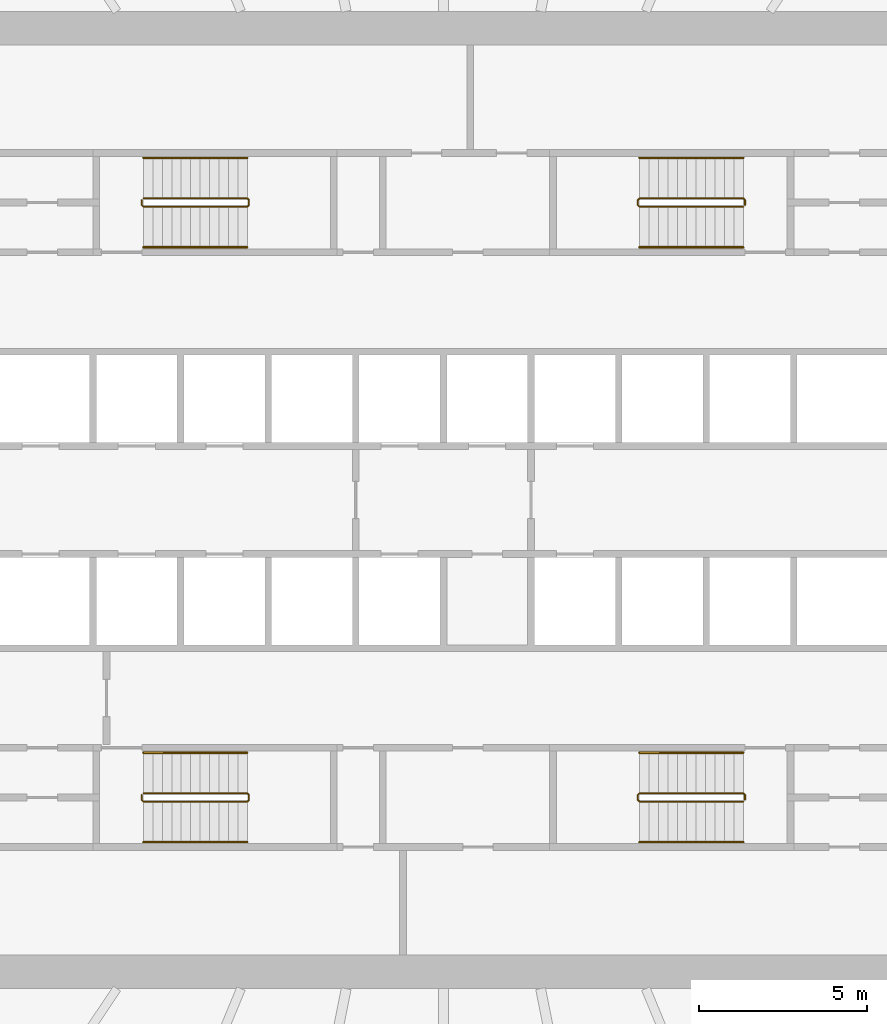
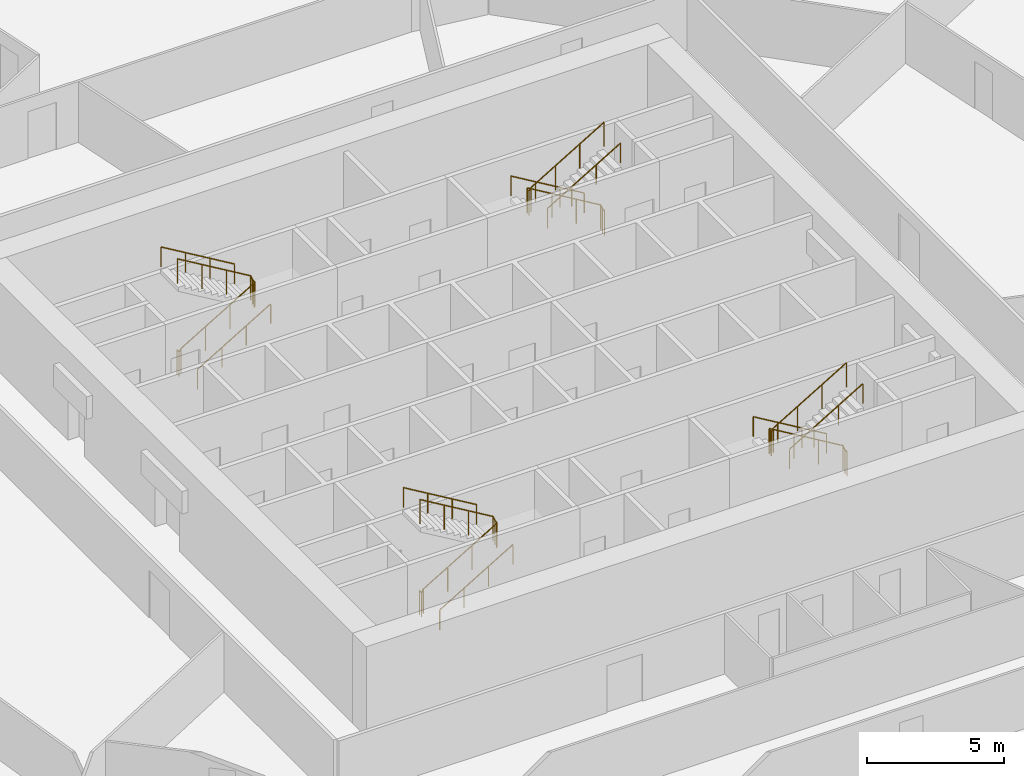
# One storey, part 8 of 8: 12 railings.
"""IFC4 building model written with IfcOpenShell, lengths in metres."""

from ifc_helpers import new_model, si_unit, direction, frame, origin, origin_2d, place, context, subcontext, project, spatial, circle, extrude, material, type_object, element, save


model = new_model("IFC4")

# Units and contexts
model_context = context("Model", 3, precision=1e-05, world=origin(), true_north=direction((0.0, 1.0)))
body_context = subcontext(model_context, "Body", "Model", "MODEL_VIEW")
ifc_project = project(units=[si_unit("LENGTHUNIT", "METRE"), si_unit("AREAUNIT", "SQUARE_METRE"), si_unit("VOLUMEUNIT", "CUBIC_METRE"), si_unit("PLANEANGLEUNIT", "RADIAN"), si_unit("MASSUNIT", "GRAM", prefix="KILO")], contexts=[model_context])

# Site, building, storey
site_placement = place(None, origin())
site = spatial("IfcSite", under=ifc_project, at=site_placement, CompositionType="ELEMENT")
building_placement = place(site_placement, origin())
building = spatial("IfcBuilding", under=site, at=building_placement, Name="Corvane Civic Tower", CompositionType="ELEMENT")
storey_placement = place(building_placement, frame((0.0, 0.0, 114.5)))
storey = spatial("IfcBuildingStorey", under=building, at=storey_placement, Name="L26", CompositionType="ELEMENT", Elevation=114.5)

# Railings
ifc_material_1 = material(Name="Steel ASTM A572 Gr 50", Category="steel")
railing_type_1 = type_object("IfcRailingType", Name="ST-GUARD-1100", PredefinedType="GUARDRAIL", material=ifc_material_1)
railing_1_placement = place(storey_placement, frame((8.949951171875, 8.75, 0.0)))
element("IfcRailing", 1, at=railing_1_placement, inside=storey, type_object=railing_type_1, Name="L26 ST1 stair guard 1", PredefinedType="GUARDRAIL", context=body_context, shape_type="SweptSolid", body=[
    extrude(circle(Radius=0.02392578125, at=origin_2d()), frame((0.0, 0.0, 1.076171875), z_axis=(0.0, 1.0, 0.0), x_axis=(-1.0, 0.0, 0.0)), (0.0, 0.0, 1.0), 0.14990234375),
    extrude(circle(Radius=0.02392578125, at=origin_2d()), frame((0.0, 0.14990234375, 1.076171875), z_axis=(-0.27628659633, 0.27628659633, 0.920506074601), x_axis=(-0.707106781187, -0.707106781187, 0.0)), (0.0, 0.0, 1.0), 0.18115234375),
    extrude(circle(Radius=0.02392578125, at=origin_2d()), frame((-0.050048828125, 0.199951171875, 1.24267578125), z_axis=(-0.859290745958, 0.0, 0.51148745235), x_axis=(0.0, -1.0, 0.0)), (0.0, 0.0, 1.0), 3.584228515625),
    extrude(circle(Radius=0.02392578125, at=origin_2d()), frame((-3.1298828125, 0.199951171875, 3.076171875), z_axis=(-0.707106781187, -0.707106781187, 0.0), x_axis=(0.707106781187, -0.707106781187, 0.0)), (0.0, 0.0, 1.0), 0.07080078125),
    extrude(circle(Radius=0.02392578125, at=origin_2d()), frame((-3.179931640625, 0.14990234375, 3.076171875), z_axis=(0.0, -1.0, 0.0), x_axis=(1.0, 0.0, 0.0)), (0.0, 0.0, 1.0), 0.14990234375),
    extrude(circle(Radius=0.02392578125, at=origin_2d()), frame((-3.179931640625, 0.0, 3.076171875), z_axis=(0.27628659633, -0.27628659633, 0.920506074601), x_axis=(0.707106781187, 0.707106781187, 0.0)), (0.0, 0.0, 1.0), 0.18115234375),
    extrude(circle(Radius=0.02392578125, at=origin_2d()), frame((-3.1298828125, -0.050048828125, 3.24267578125), z_axis=(0.859290745958, 0.0, 0.51148745235), x_axis=(0.0, 1.0, 0.0)), (0.0, 0.0, 1.0), 3.584228515625),
    extrude(circle(Radius=0.02099609375, at=origin_2d()), origin(), (0.0, 0.0, 1.0), 1.052001953125),
    extrude(circle(Radius=0.02099609375, at=origin_2d()), frame((0.0, 0.14990234375, 0.0)), (0.0, 0.0, 1.0), 1.052001953125),
    extrude(circle(Radius=0.02099609375, at=origin_2d()), frame((-0.050048828125, 0.199951171875, 0.166748046875)), (0.0, 0.0, 1.0), 1.052001953125),
    extrude(circle(Radius=0.02099609375, at=origin_2d()), frame((-1.07666015625, 0.199951171875, 0.77783203125)), (0.0, 0.0, 1.0), 1.052001953125),
    extrude(circle(Radius=0.02099609375, at=origin_2d()), frame((-2.103271484375, 0.199951171875, 1.388916015625)), (0.0, 0.0, 1.0), 1.052001953125),
    extrude(circle(Radius=0.02099609375, at=origin_2d()), frame((-3.1298828125, 0.199951171875, 2.0)), (0.0, 0.0, 1.0), 1.052001953125),
    extrude(circle(Radius=0.02099609375, at=origin_2d()), frame((-3.179931640625, 0.14990234375, 2.0)), (0.0, 0.0, 1.0), 1.052001953125),
    extrude(circle(Radius=0.02099609375, at=origin_2d()), frame((-3.179931640625, 0.0, 2.0)), (0.0, 0.0, 1.0), 1.052001953125),
    extrude(circle(Radius=0.02099609375, at=origin_2d()), frame((-3.1298828125, -0.050048828125, 2.166748046875)), (0.0, 0.0, 1.0), 1.052001953125),
    extrude(circle(Radius=0.02099609375, at=origin_2d()), frame((-2.103271484375, -0.050048828125, 2.77783203125)), (0.0, 0.0, 1.0), 1.052001953125),
    extrude(circle(Radius=0.02099609375, at=origin_2d()), frame((-1.07666015625, -0.050048828125, 3.388916015625)), (0.0, 0.0, 1.0), 1.052001953125),
    extrude(circle(Radius=0.02099609375, at=origin_2d()), frame((-0.050048828125, -0.050048828125, 4.0)), (0.0, 0.0, 1.0), 1.052001953125),
])
railing_2_placement = place(storey_placement, frame((8.949951171875, -8.89990234375, 0.0)))
element("IfcRailing", 2, at=railing_2_placement, inside=storey, type_object=railing_type_1, Name="L26 ST2 stair guard 1", PredefinedType="GUARDRAIL", context=body_context, shape_type="SweptSolid", body=[
    extrude(circle(Radius=0.02392578125, at=origin_2d()), frame((0.0, 0.0, 1.076171875), z_axis=(0.0, 1.0, 0.0), x_axis=(-1.0, 0.0, 0.0)), (0.0, 0.0, 1.0), 0.14990234375),
    extrude(circle(Radius=0.02392578125, at=origin_2d()), frame((0.0, 0.14990234375, 1.076171875), z_axis=(-0.27628659633, 0.27628659633, 0.920506074601), x_axis=(-0.707106781187, -0.707106781187, 0.0)), (0.0, 0.0, 1.0), 0.18115234375),
    extrude(circle(Radius=0.02392578125, at=origin_2d()), frame((-0.050048828125, 0.199951171875, 1.24267578125), z_axis=(-0.859290745958, 0.0, 0.51148745235), x_axis=(0.0, -1.0, 0.0)), (0.0, 0.0, 1.0), 3.584228515625),
    extrude(circle(Radius=0.02392578125, at=origin_2d()), frame((-3.1298828125, 0.199951171875, 3.076171875), z_axis=(-0.707106781187, -0.707106781187, 0.0), x_axis=(0.707106781187, -0.707106781187, 0.0)), (0.0, 0.0, 1.0), 0.07080078125),
    extrude(circle(Radius=0.02392578125, at=origin_2d()), frame((-3.179931640625, 0.14990234375, 3.076171875), z_axis=(0.0, -1.0, 0.0), x_axis=(1.0, 0.0, 0.0)), (0.0, 0.0, 1.0), 0.14990234375),
    extrude(circle(Radius=0.02392578125, at=origin_2d()), frame((-3.179931640625, 0.0, 3.076171875), z_axis=(0.27628659633, -0.27628659633, 0.920506074601), x_axis=(0.707106781187, 0.707106781187, 0.0)), (0.0, 0.0, 1.0), 0.18115234375),
    extrude(circle(Radius=0.02392578125, at=origin_2d()), frame((-3.1298828125, -0.050048828125, 3.24267578125), z_axis=(0.859290745958, 0.0, 0.51148745235), x_axis=(0.0, 1.0, 0.0)), (0.0, 0.0, 1.0), 3.584228515625),
    extrude(circle(Radius=0.02099609375, at=origin_2d()), origin(), (0.0, 0.0, 1.0), 1.052001953125),
    extrude(circle(Radius=0.02099609375, at=origin_2d()), frame((0.0, 0.14990234375, 0.0)), (0.0, 0.0, 1.0), 1.052001953125),
    extrude(circle(Radius=0.02099609375, at=origin_2d()), frame((-0.050048828125, 0.199951171875, 0.166748046875)), (0.0, 0.0, 1.0), 1.052001953125),
    extrude(circle(Radius=0.02099609375, at=origin_2d()), frame((-1.07666015625, 0.199951171875, 0.77783203125)), (0.0, 0.0, 1.0), 1.052001953125),
    extrude(circle(Radius=0.02099609375, at=origin_2d()), frame((-2.103271484375, 0.199951171875, 1.388916015625)), (0.0, 0.0, 1.0), 1.052001953125),
    extrude(circle(Radius=0.02099609375, at=origin_2d()), frame((-3.1298828125, 0.199951171875, 2.0)), (0.0, 0.0, 1.0), 1.052001953125),
    extrude(circle(Radius=0.02099609375, at=origin_2d()), frame((-3.179931640625, 0.14990234375, 2.0)), (0.0, 0.0, 1.0), 1.052001953125),
    extrude(circle(Radius=0.02099609375, at=origin_2d()), frame((-3.179931640625, 0.0, 2.0)), (0.0, 0.0, 1.0), 1.052001953125),
    extrude(circle(Radius=0.02099609375, at=origin_2d()), frame((-3.1298828125, -0.050048828125, 2.166748046875)), (0.0, 0.0, 1.0), 1.052001953125),
    extrude(circle(Radius=0.02099609375, at=origin_2d()), frame((-2.103271484375, -0.050048828125, 2.77783203125)), (0.0, 0.0, 1.0), 1.052001953125),
    extrude(circle(Radius=0.02099609375, at=origin_2d()), frame((-1.07666015625, -0.050048828125, 3.388916015625)), (0.0, 0.0, 1.0), 1.052001953125),
    extrude(circle(Radius=0.02099609375, at=origin_2d()), frame((-0.050048828125, -0.050048828125, 4.0)), (0.0, 0.0, 1.0), 1.052001953125),
])
railing_3_placement = place(storey_placement, frame((-8.949951171875, -8.75, 0.0)))
element("IfcRailing", 3, at=railing_3_placement, inside=storey, type_object=railing_type_1, Name="L26 ST3 stair guard 1", PredefinedType="GUARDRAIL", context=body_context, shape_type="SweptSolid", body=[
    extrude(circle(Radius=0.02392578125, at=origin_2d()), frame((0.0, 0.0, 1.076171875), z_axis=(0.0, -1.0, 0.0), x_axis=(1.0, 0.0, 0.0)), (0.0, 0.0, 1.0), 0.14990234375),
    extrude(circle(Radius=0.02392578125, at=origin_2d()), frame((0.0, -0.14990234375, 1.076171875), z_axis=(0.27628659633, -0.27628659633, 0.920506074601), x_axis=(0.707106781187, 0.707106781187, 0.0)), (0.0, 0.0, 1.0), 0.18115234375),
    extrude(circle(Radius=0.02392578125, at=origin_2d()), frame((0.050048828125, -0.199951171875, 1.24267578125), z_axis=(0.859290745958, 0.0, 0.51148745235), x_axis=(0.0, 1.0, 0.0)), (0.0, 0.0, 1.0), 3.584228515625),
    extrude(circle(Radius=0.02392578125, at=origin_2d()), frame((3.1298828125, -0.199951171875, 3.076171875), z_axis=(0.707106781187, 0.707106781187, 0.0), x_axis=(-0.707106781187, 0.707106781187, 0.0)), (0.0, 0.0, 1.0), 0.07080078125),
    extrude(circle(Radius=0.02392578125, at=origin_2d()), frame((3.179931640625, -0.14990234375, 3.076171875), z_axis=(0.0, 1.0, 0.0), x_axis=(-1.0, 0.0, 0.0)), (0.0, 0.0, 1.0), 0.14990234375),
    extrude(circle(Radius=0.02392578125, at=origin_2d()), frame((3.179931640625, 0.0, 3.076171875), z_axis=(-0.27628659633, 0.27628659633, 0.920506074601), x_axis=(-0.707106781187, -0.707106781187, 0.0)), (0.0, 0.0, 1.0), 0.18115234375),
    extrude(circle(Radius=0.02392578125, at=origin_2d()), frame((3.1298828125, 0.050048828125, 3.24267578125), z_axis=(-0.859290745958, 0.0, 0.51148745235), x_axis=(0.0, -1.0, 0.0)), (0.0, 0.0, 1.0), 3.584228515625),
    extrude(circle(Radius=0.02099609375, at=origin_2d()), origin(), (0.0, 0.0, 1.0), 1.052001953125),
    extrude(circle(Radius=0.02099609375, at=origin_2d()), frame((0.0, -0.14990234375, 0.0)), (0.0, 0.0, 1.0), 1.052001953125),
    extrude(circle(Radius=0.02099609375, at=origin_2d()), frame((0.050048828125, -0.199951171875, 0.166748046875)), (0.0, 0.0, 1.0), 1.052001953125),
    extrude(circle(Radius=0.02099609375, at=origin_2d()), frame((1.07666015625, -0.199951171875, 0.77783203125)), (0.0, 0.0, 1.0), 1.052001953125),
    extrude(circle(Radius=0.02099609375, at=origin_2d()), frame((2.103271484375, -0.199951171875, 1.388916015625)), (0.0, 0.0, 1.0), 1.052001953125),
    extrude(circle(Radius=0.02099609375, at=origin_2d()), frame((3.1298828125, -0.199951171875, 2.0)), (0.0, 0.0, 1.0), 1.052001953125),
    extrude(circle(Radius=0.02099609375, at=origin_2d()), frame((3.179931640625, -0.14990234375, 2.0)), (0.0, 0.0, 1.0), 1.052001953125),
    extrude(circle(Radius=0.02099609375, at=origin_2d()), frame((3.179931640625, 0.0, 2.0)), (0.0, 0.0, 1.0), 1.052001953125),
    extrude(circle(Radius=0.02099609375, at=origin_2d()), frame((3.1298828125, 0.050048828125, 2.166748046875)), (0.0, 0.0, 1.0), 1.052001953125),
    extrude(circle(Radius=0.02099609375, at=origin_2d()), frame((2.103271484375, 0.050048828125, 2.77783203125)), (0.0, 0.0, 1.0), 1.052001953125),
    extrude(circle(Radius=0.02099609375, at=origin_2d()), frame((1.07666015625, 0.050048828125, 3.388916015625)), (0.0, 0.0, 1.0), 1.052001953125),
    extrude(circle(Radius=0.02099609375, at=origin_2d()), frame((0.050048828125, 0.050048828125, 4.0)), (0.0, 0.0, 1.0), 1.052001953125),
])
railing_4_placement = place(storey_placement, frame((-8.949951171875, 8.89990234375, 0.0)))
element("IfcRailing", 4, at=railing_4_placement, inside=storey, type_object=railing_type_1, Name="L26 ST4 stair guard 1", PredefinedType="GUARDRAIL", context=body_context, shape_type="SweptSolid", body=[
    extrude(circle(Radius=0.02392578125, at=origin_2d()), frame((0.0, 0.0, 1.076171875), z_axis=(0.0, -1.0, 0.0), x_axis=(1.0, 0.0, 0.0)), (0.0, 0.0, 1.0), 0.14990234375),
    extrude(circle(Radius=0.02392578125, at=origin_2d()), frame((0.0, -0.14990234375, 1.076171875), z_axis=(0.27628659633, -0.27628659633, 0.920506074601), x_axis=(0.707106781187, 0.707106781187, 0.0)), (0.0, 0.0, 1.0), 0.18115234375),
    extrude(circle(Radius=0.02392578125, at=origin_2d()), frame((0.050048828125, -0.199951171875, 1.24267578125), z_axis=(0.859290745958, 0.0, 0.51148745235), x_axis=(0.0, 1.0, 0.0)), (0.0, 0.0, 1.0), 3.584228515625),
    extrude(circle(Radius=0.02392578125, at=origin_2d()), frame((3.1298828125, -0.199951171875, 3.076171875), z_axis=(0.707106781187, 0.707106781187, 0.0), x_axis=(-0.707106781187, 0.707106781187, 0.0)), (0.0, 0.0, 1.0), 0.07080078125),
    extrude(circle(Radius=0.02392578125, at=origin_2d()), frame((3.179931640625, -0.14990234375, 3.076171875), z_axis=(0.0, 1.0, 0.0), x_axis=(-1.0, 0.0, 0.0)), (0.0, 0.0, 1.0), 0.14990234375),
    extrude(circle(Radius=0.02392578125, at=origin_2d()), frame((3.179931640625, 0.0, 3.076171875), z_axis=(-0.27628659633, 0.27628659633, 0.920506074601), x_axis=(-0.707106781187, -0.707106781187, 0.0)), (0.0, 0.0, 1.0), 0.18115234375),
    extrude(circle(Radius=0.02392578125, at=origin_2d()), frame((3.1298828125, 0.050048828125, 3.24267578125), z_axis=(-0.859290745958, 0.0, 0.51148745235), x_axis=(0.0, -1.0, 0.0)), (0.0, 0.0, 1.0), 3.584228515625),
    extrude(circle(Radius=0.02099609375, at=origin_2d()), origin(), (0.0, 0.0, 1.0), 1.052001953125),
    extrude(circle(Radius=0.02099609375, at=origin_2d()), frame((0.0, -0.14990234375, 0.0)), (0.0, 0.0, 1.0), 1.052001953125),
    extrude(circle(Radius=0.02099609375, at=origin_2d()), frame((0.050048828125, -0.199951171875, 0.166748046875)), (0.0, 0.0, 1.0), 1.052001953125),
    extrude(circle(Radius=0.02099609375, at=origin_2d()), frame((1.07666015625, -0.199951171875, 0.77783203125)), (0.0, 0.0, 1.0), 1.052001953125),
    extrude(circle(Radius=0.02099609375, at=origin_2d()), frame((2.103271484375, -0.199951171875, 1.388916015625)), (0.0, 0.0, 1.0), 1.052001953125),
    extrude(circle(Radius=0.02099609375, at=origin_2d()), frame((3.1298828125, -0.199951171875, 2.0)), (0.0, 0.0, 1.0), 1.052001953125),
    extrude(circle(Radius=0.02099609375, at=origin_2d()), frame((3.179931640625, -0.14990234375, 2.0)), (0.0, 0.0, 1.0), 1.052001953125),
    extrude(circle(Radius=0.02099609375, at=origin_2d()), frame((3.179931640625, 0.0, 2.0)), (0.0, 0.0, 1.0), 1.052001953125),
    extrude(circle(Radius=0.02099609375, at=origin_2d()), frame((3.1298828125, 0.050048828125, 2.166748046875)), (0.0, 0.0, 1.0), 1.052001953125),
    extrude(circle(Radius=0.02099609375, at=origin_2d()), frame((2.103271484375, 0.050048828125, 2.77783203125)), (0.0, 0.0, 1.0), 1.052001953125),
    extrude(circle(Radius=0.02099609375, at=origin_2d()), frame((1.07666015625, 0.050048828125, 3.388916015625)), (0.0, 0.0, 1.0), 1.052001953125),
    extrude(circle(Radius=0.02099609375, at=origin_2d()), frame((0.050048828125, 0.050048828125, 4.0)), (0.0, 0.0, 1.0), 1.052001953125),
])
ifc_material_2 = material(Name="Steel ASTM A572 Gr 50", Category="steel")
railing_type_2 = type_object("IfcRailingType", Name="ST-HANDRAIL-900", PredefinedType="HANDRAIL", material=ifc_material_2)
railing_5_placement = place(storey_placement, frame((8.89990234375, 10.14990234375, 0.166748046875)))
element("IfcRailing", 5, at=railing_5_placement, inside=storey, type_object=railing_type_2, Name="L26 ST1 stair handrail 1", PredefinedType="HANDRAIL", context=body_context, shape_type="SweptSolid", body=[
    extrude(circle(Radius=0.02392578125, at=origin_2d()), frame((0.0, 0.0, 0.8759765625), z_axis=(-0.859290745958, 0.0, 0.51148745235), x_axis=(0.0, -1.0, 0.0)), (0.0, 0.0, 1.0), 3.584228515625),
    extrude(circle(Radius=0.02099609375, at=origin_2d()), origin(), (0.0, 0.0, 1.0), 0.851806640625),
    extrude(circle(Radius=0.02099609375, at=origin_2d()), frame((-1.026611328125, 0.0, 0.611083984375)), (0.0, 0.0, 1.0), 0.851806640625),
    extrude(circle(Radius=0.02099609375, at=origin_2d()), frame((-2.05322265625, 0.0, 1.22216796875)), (0.0, 0.0, 1.0), 0.851806640625),
    extrude(circle(Radius=0.02099609375, at=origin_2d()), frame((-3.079833984375, 0.0, 1.833251953125)), (0.0, 0.0, 1.0), 0.851806640625),
])
railing_6_placement = place(storey_placement, frame((5.820068359375, 7.5, 2.166748046875)))
element("IfcRailing", 6, at=railing_6_placement, inside=storey, type_object=railing_type_2, Name="L26 ST1 stair handrail 2", PredefinedType="HANDRAIL", context=body_context, shape_type="SweptSolid", body=[
    extrude(circle(Radius=0.02392578125, at=origin_2d()), frame((0.0, 0.0, 0.8759765625), z_axis=(0.859290745958, 0.0, 0.51148745235), x_axis=(0.0, 1.0, 0.0)), (0.0, 0.0, 1.0), 3.584228515625),
    extrude(circle(Radius=0.02099609375, at=origin_2d()), origin(), (0.0, 0.0, 1.0), 0.851806640625),
    extrude(circle(Radius=0.02099609375, at=origin_2d()), frame((1.026611328125, 0.0, 0.611083984375)), (0.0, 0.0, 1.0), 0.851806640625),
    extrude(circle(Radius=0.02099609375, at=origin_2d()), frame((2.05322265625, 0.0, 1.22216796875)), (0.0, 0.0, 1.0), 0.851806640625),
    extrude(circle(Radius=0.02099609375, at=origin_2d()), frame((3.079833984375, 0.0, 1.833251953125)), (0.0, 0.0, 1.0), 0.851806640625),
])
railing_7_placement = place(storey_placement, frame((8.89990234375, -7.5, 0.166748046875)))
element("IfcRailing", 7, at=railing_7_placement, inside=storey, type_object=railing_type_2, Name="L26 ST2 stair handrail 1", PredefinedType="HANDRAIL", context=body_context, shape_type="SweptSolid", body=[
    extrude(circle(Radius=0.02392578125, at=origin_2d()), frame((0.0, 0.0, 0.8759765625), z_axis=(-0.859290745958, 0.0, 0.51148745235), x_axis=(0.0, -1.0, 0.0)), (0.0, 0.0, 1.0), 3.584228515625),
    extrude(circle(Radius=0.02099609375, at=origin_2d()), origin(), (0.0, 0.0, 1.0), 0.851806640625),
    extrude(circle(Radius=0.02099609375, at=origin_2d()), frame((-1.026611328125, 0.0, 0.611083984375)), (0.0, 0.0, 1.0), 0.851806640625),
    extrude(circle(Radius=0.02099609375, at=origin_2d()), frame((-2.05322265625, 0.0, 1.22216796875)), (0.0, 0.0, 1.0), 0.851806640625),
    extrude(circle(Radius=0.02099609375, at=origin_2d()), frame((-3.079833984375, 0.0, 1.833251953125)), (0.0, 0.0, 1.0), 0.851806640625),
])
for number, where, name in (
    (8, (5.820068359375, -10.14990234375, 2.166748046875), "L26 ST2 stair handrail 2"),
    (9, (-8.89990234375, -10.14990234375, 0.166748046875), "L26 ST3 stair handrail 1"),
):
    element("IfcRailing", number, at=place(storey_placement, frame(where)), inside=storey, type_object=railing_type_2, Name=name, PredefinedType="HANDRAIL", context=body_context, shape_type="SweptSolid", body=[
        extrude(circle(Radius=0.02392578125, at=origin_2d()), frame((0.0, 0.0, 0.8759765625), z_axis=(0.859290745958, 0.0, 0.51148745235), x_axis=(0.0, 1.0, 0.0)), (0.0, 0.0, 1.0), 3.584228515625),
        extrude(circle(Radius=0.02099609375, at=origin_2d()), origin(), (0.0, 0.0, 1.0), 0.851806640625),
        extrude(circle(Radius=0.02099609375, at=origin_2d()), frame((1.026611328125, 0.0, 0.611083984375)), (0.0, 0.0, 1.0), 0.851806640625),
        extrude(circle(Radius=0.02099609375, at=origin_2d()), frame((2.05322265625, 0.0, 1.22216796875)), (0.0, 0.0, 1.0), 0.851806640625),
        extrude(circle(Radius=0.02099609375, at=origin_2d()), frame((3.079833984375, 0.0, 1.833251953125)), (0.0, 0.0, 1.0), 0.851806640625),
    ])
railing_8_placement = place(storey_placement, frame((-5.820068359375, -7.5, 2.166748046875)))
element("IfcRailing", 10, at=railing_8_placement, inside=storey, type_object=railing_type_2, Name="L26 ST3 stair handrail 2", PredefinedType="HANDRAIL", context=body_context, shape_type="SweptSolid", body=[
    extrude(circle(Radius=0.02392578125, at=origin_2d()), frame((0.0, 0.0, 0.8759765625), z_axis=(-0.859290745958, 0.0, 0.51148745235), x_axis=(0.0, -1.0, 0.0)), (0.0, 0.0, 1.0), 3.584228515625),
    extrude(circle(Radius=0.02099609375, at=origin_2d()), origin(), (0.0, 0.0, 1.0), 0.851806640625),
    extrude(circle(Radius=0.02099609375, at=origin_2d()), frame((-1.026611328125, 0.0, 0.611083984375)), (0.0, 0.0, 1.0), 0.851806640625),
    extrude(circle(Radius=0.02099609375, at=origin_2d()), frame((-2.05322265625, 0.0, 1.22216796875)), (0.0, 0.0, 1.0), 0.851806640625),
    extrude(circle(Radius=0.02099609375, at=origin_2d()), frame((-3.079833984375, 0.0, 1.833251953125)), (0.0, 0.0, 1.0), 0.851806640625),
])
railing_9_placement = place(storey_placement, frame((-8.89990234375, 7.5, 0.166748046875)))
element("IfcRailing", 11, at=railing_9_placement, inside=storey, type_object=railing_type_2, Name="L26 ST4 stair handrail 1", PredefinedType="HANDRAIL", context=body_context, shape_type="SweptSolid", body=[
    extrude(circle(Radius=0.02392578125, at=origin_2d()), frame((0.0, 0.0, 0.8759765625), z_axis=(0.859290745958, 0.0, 0.51148745235), x_axis=(0.0, 1.0, 0.0)), (0.0, 0.0, 1.0), 3.584228515625),
    extrude(circle(Radius=0.02099609375, at=origin_2d()), origin(), (0.0, 0.0, 1.0), 0.851806640625),
    extrude(circle(Radius=0.02099609375, at=origin_2d()), frame((1.026611328125, 0.0, 0.611083984375)), (0.0, 0.0, 1.0), 0.851806640625),
    extrude(circle(Radius=0.02099609375, at=origin_2d()), frame((2.05322265625, 0.0, 1.22216796875)), (0.0, 0.0, 1.0), 0.851806640625),
    extrude(circle(Radius=0.02099609375, at=origin_2d()), frame((3.079833984375, 0.0, 1.833251953125)), (0.0, 0.0, 1.0), 0.851806640625),
])
railing_10_placement = place(storey_placement, frame((-5.820068359375, 10.14990234375, 2.166748046875)))
element("IfcRailing", 12, at=railing_10_placement, inside=storey, type_object=railing_type_2, Name="L26 ST4 stair handrail 2", PredefinedType="HANDRAIL", context=body_context, shape_type="SweptSolid", body=[
    extrude(circle(Radius=0.02392578125, at=origin_2d()), frame((0.0, 0.0, 0.8759765625), z_axis=(-0.859290745958, 0.0, 0.51148745235), x_axis=(0.0, -1.0, 0.0)), (0.0, 0.0, 1.0), 3.584228515625),
    extrude(circle(Radius=0.02099609375, at=origin_2d()), origin(), (0.0, 0.0, 1.0), 0.851806640625),
    extrude(circle(Radius=0.02099609375, at=origin_2d()), frame((-1.026611328125, 0.0, 0.611083984375)), (0.0, 0.0, 1.0), 0.851806640625),
    extrude(circle(Radius=0.02099609375, at=origin_2d()), frame((-2.05322265625, 0.0, 1.22216796875)), (0.0, 0.0, 1.0), 0.851806640625),
    extrude(circle(Radius=0.02099609375, at=origin_2d()), frame((-3.079833984375, 0.0, 1.833251953125)), (0.0, 0.0, 1.0), 0.851806640625),
])

save(model, "model.ifc")
